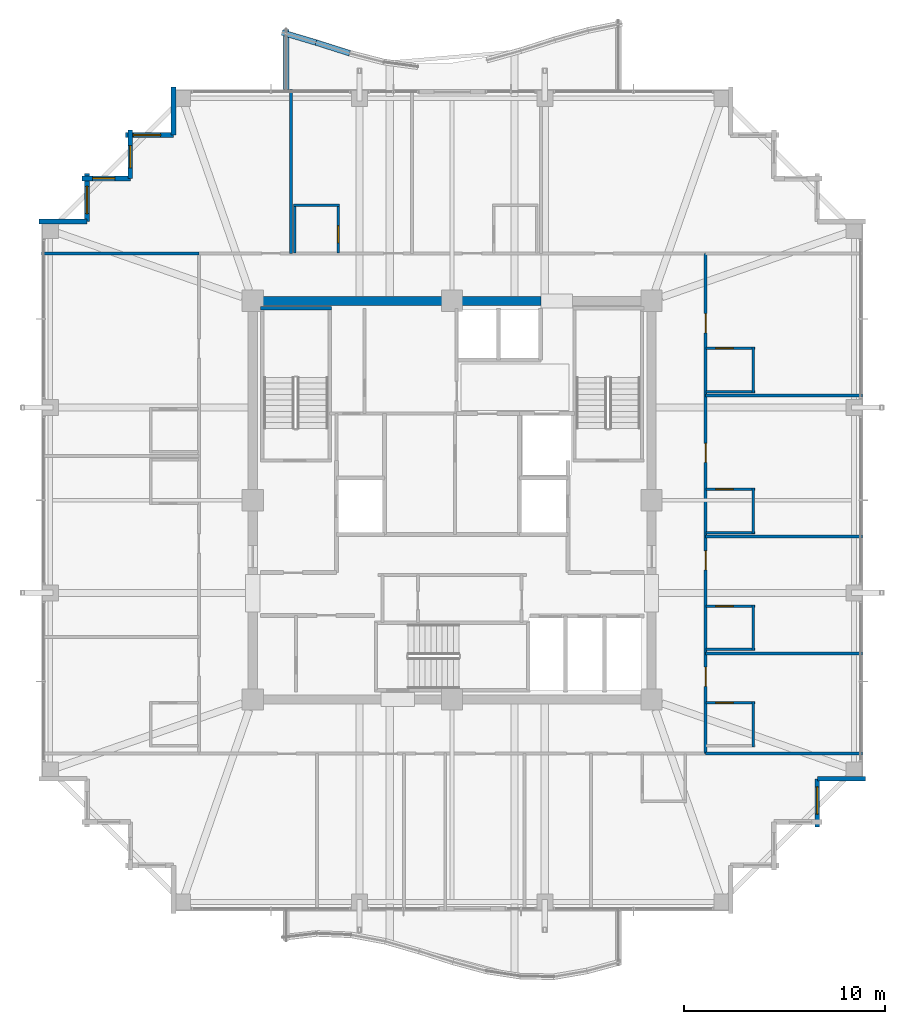
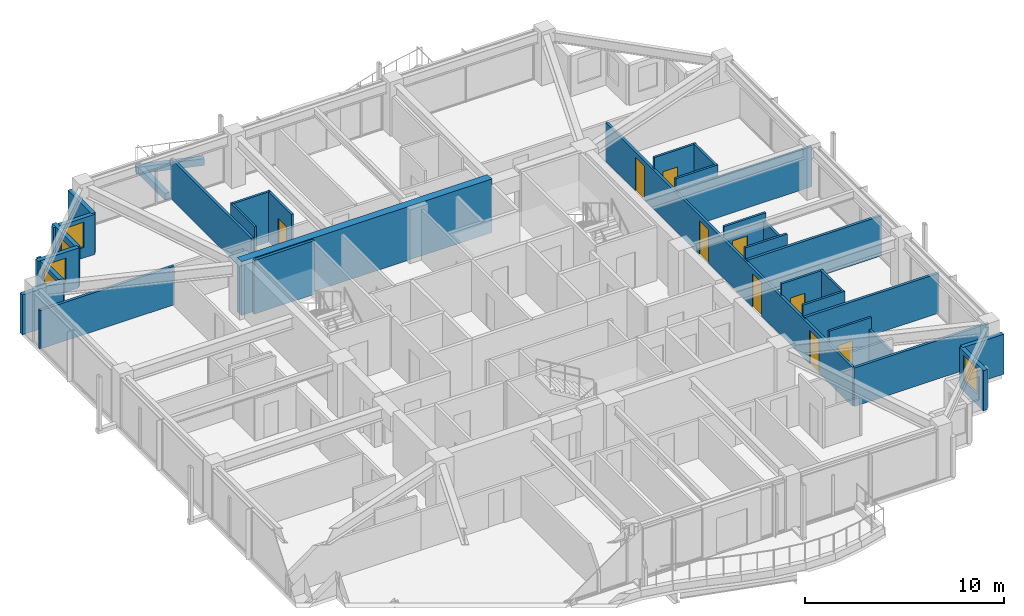
# One storey, part 34 of 38: 34 walls, 9 doors, 5 windows, 14 openings.
"""IFC4 building model written with IfcOpenShell, lengths in metres."""

from ifc_helpers import new_model, si_unit, direction, frame, frame_2d, origin, place, context, subcontext, project, spatial, rectangle, extrude, material, layer, layer_set, type_object, element, fill, save


model = new_model("IFC4")

# Units and contexts
model_context = context("Model", 3, precision=1e-05, world=origin(), true_north=direction((0.0, 1.0)))
body_context = subcontext(model_context, "Body", "Model", "MODEL_VIEW")
ifc_project = project(units=[si_unit("LENGTHUNIT", "METRE"), si_unit("AREAUNIT", "SQUARE_METRE"), si_unit("VOLUMEUNIT", "CUBIC_METRE"), si_unit("PLANEANGLEUNIT", "RADIAN"), si_unit("MASSUNIT", "GRAM", prefix="KILO")], contexts=[model_context])

# Site, building, storey
site_placement = place(None, origin())
site = spatial("IfcSite", under=ifc_project, at=site_placement, CompositionType="ELEMENT")
building_placement = place(site_placement, origin())
building = spatial("IfcBuilding", under=site, at=building_placement, Name="Kolvaren Belvedere", CompositionType="ELEMENT")
storey_placement = place(building_placement, frame((0.0, 0.0, 213.0)))
storey = spatial("IfcBuildingStorey", under=building, at=storey_placement, Name="L62", CompositionType="ELEMENT", Elevation=213.0)

# Walls
ifc_material_1 = material(Name="Concrete C50/60", Category="concrete")
ifc_layer_1 = layer(ifc_material_1, 0.449951171875)
ifc_layer_set_1 = layer_set([ifc_layer_1], Name="Concrete C50/60")
wall_type_1 = type_object("IfcWallType", Name="CW-CORE-450", PredefinedType="SHEAR", material=ifc_layer_set_1)
wall_1_placement = place(storey_placement, frame((-10.125, 9.89990234375, 0.0), z_axis=(0.0, 0.0, 1.0), x_axis=(1.0, 0.0, 0.0)))
element("IfcWall", 1, at=wall_1_placement, inside=storey, type_object=wall_type_1, Name="L62 North Core Shear Wall 1", PredefinedType="SHEAR", context=body_context, shape_type="SweptSolid", body=[
    extrude(rectangle(XDim=14.544921875, YDim=0.449951171875, at=frame_2d((7.2724609375, 0.0))), origin(), (0.0, 0.0, 1.0), 3.300048828125),
])
ifc_material_2 = material(Name="Concrete C50/60", Category="concrete")
ifc_layer_2 = layer(ifc_material_2, 0.159912109375)
ifc_layer_set_2 = layer_set([ifc_layer_2], Name="Concrete C50/60")
wall_type_2 = type_object("IfcWallType", Name="CW-STAIR-160", PredefinedType="SHEAR", material=ifc_layer_set_2)
wall_2_placement = place(storey_placement, frame((-9.52001953125, 9.530029296875, 0.0), z_axis=(0.0, 0.0, 1.0), x_axis=(1.0, 0.0, 0.0)))
element("IfcWall", 2, at=wall_2_placement, inside=storey, type_object=wall_type_2, Name="L62 Stair ST-1 North Shear Wall", PredefinedType="SHEAR", context=body_context, shape_type="SweptSolid", body=[
    extrude(rectangle(XDim=3.52001953125, YDim=0.159912109375, at=frame_2d((1.760009765625, 0.0))), origin(), (0.0, 0.0, 1.0), 3.300048828125),
])

# Wall, openings, doors
ifc_material_3 = material(Name="Gypsum fire-rated partition assembly", Category="gypsum")
ifc_layer_3 = layer(ifc_material_3, 0.14990234375)
ifc_layer_set_3 = layer_set([ifc_layer_3], Name="Gypsum fire-rated partition assembly")
wall_type_3 = type_object("IfcWallType", Name="WL-CORR-150", PredefinedType="PARTITIONING", material=ifc_layer_set_3)
wall_3_placement = place(storey_placement, frame((12.580078125, -12.580078125, 0.0), z_axis=(0.0, 0.0, 1.0), x_axis=(0.0, 1.0, 0.0)))
wall_3 = element("IfcWall", 3, at=wall_3_placement, inside=storey, type_object=wall_type_3, Name="L62 East Corridor Wall", PredefinedType="PARTITIONING", context=body_context, shape_type="SweptSolid", body=[
    extrude(rectangle(XDim=24.840087890625, YDim=0.14990234375, at=frame_2d((12.419921875, 0.0))), origin(), (0.0, 0.0, 1.0), 2.368896484375),
])
opening_1_placement = place(wall_3_placement, frame((3.338134765625, 0.0, 0.0)))
opening_1 = element("IfcOpeningElement", 4, at=opening_1_placement, cuts=wall_3, Name="Opening D-FD60", PredefinedType="OPENING", context=body_context, shape_type="SweptSolid", body=[
    extrude(rectangle(XDim=0.949951171875, YDim=2.06005859375, at=frame_2d((0.47509765625, 1.030029296875))), frame((0.0, 0.0849609375, 0.0), z_axis=(0.0, -1.0, 0.0), x_axis=(1.0, 0.0, 0.0)), (0.0, 0.0, 1.0), 0.169921875),
])
opening_2_placement = place(wall_3_placement, frame((9.119384765625, 0.0, 0.0)))
opening_2 = element("IfcOpeningElement", 5, at=opening_2_placement, cuts=wall_3, Name="Opening D-FD60", PredefinedType="OPENING", context=body_context, shape_type="SweptSolid", body=[
    extrude(rectangle(XDim=0.949951171875, YDim=2.06005859375, at=frame_2d((0.47509765625, 1.030029296875))), frame((0.0, 0.0849609375, 0.0), z_axis=(0.0, -1.0, 0.0), x_axis=(1.0, 0.0, 0.0)), (0.0, 0.0, 1.0), 0.169921875),
])
opening_3_placement = place(wall_3_placement, frame((14.452392578125, 0.0, 0.0)))
opening_3 = element("IfcOpeningElement", 6, at=opening_3_placement, cuts=wall_3, Name="Opening D-FD60", PredefinedType="OPENING", context=body_context, shape_type="SweptSolid", body=[
    extrude(rectangle(XDim=0.949951171875, YDim=2.06005859375, at=frame_2d((0.47509765625, 1.030029296875))), frame((0.0, 0.0849609375, 0.0), z_axis=(0.0, -1.0, 0.0), x_axis=(1.0, 0.0, 0.0)), (0.0, 0.0, 1.0), 0.169921875),
])
opening_4_placement = place(wall_3_placement, frame((20.887451171875, 0.0, 0.0)))
opening_4 = element("IfcOpeningElement", 7, at=opening_4_placement, cuts=wall_3, Name="Opening D-FD60", PredefinedType="OPENING", context=body_context, shape_type="SweptSolid", body=[
    extrude(rectangle(XDim=0.949951171875, YDim=2.06005859375, at=frame_2d((0.47509765625, 1.030029296875))), frame((0.0, 0.0849609375, 0.0), z_axis=(0.0, -1.0, 0.0), x_axis=(1.0, 0.0, 0.0)), (0.0, 0.0, 1.0), 0.169921875),
])
ifc_material_4 = material(Name="Acoustic white-oak fire door leaf", Category="timber")
door_type_1 = type_object("IfcDoorType", Name="DR-FD60-950", OperationType="NOTDEFINED", PredefinedType="DOOR", material=ifc_material_4)
door_1_placement = place(opening_1_placement, origin())
door_1 = element("IfcDoor", 8, at=door_1_placement, inside=storey, type_object=door_type_1, Name="L62 Twin Guest Room 6205 Entry Door", OperationType="SINGLE_SWING_LEFT", OverallHeight=2.06005859375, OverallWidth=0.949951171875, PredefinedType="DOOR", context=body_context, shape_type="SweptSolid", body=[
    extrude(rectangle(XDim=0.949951171875, YDim=2.06005859375, at=frame_2d((0.47509765625, 1.030029296875))), frame((0.0, 0.02490234375, 0.0), z_axis=(0.0, -1.0, 0.0), x_axis=(1.0, 0.0, 0.0)), (0.0, 0.0, 1.0), 0.050048828125),
])
fill(opening_1, door_1)
door_2_placement = place(opening_2_placement, origin())
door_2 = element("IfcDoor", 9, at=door_2_placement, inside=storey, type_object=door_type_1, Name="L62 Deluxe King Guest Room 6206 Entry Door", OperationType="SINGLE_SWING_LEFT", OverallHeight=2.06005859375, OverallWidth=0.949951171875, PredefinedType="DOOR", context=body_context, shape_type="SweptSolid", body=[
    extrude(rectangle(XDim=0.949951171875, YDim=2.06005859375, at=frame_2d((0.47509765625, 1.030029296875))), frame((0.0, 0.02490234375, 0.0), z_axis=(0.0, -1.0, 0.0), x_axis=(1.0, 0.0, 0.0)), (0.0, 0.0, 1.0), 0.050048828125),
])
fill(opening_2, door_2)
door_3_placement = place(opening_3_placement, origin())
door_3 = element("IfcDoor", 10, at=door_3_placement, inside=storey, type_object=door_type_1, Name="L62 Twin Guest Room 6207 Entry Door", OperationType="SINGLE_SWING_LEFT", OverallHeight=2.06005859375, OverallWidth=0.949951171875, PredefinedType="DOOR", context=body_context, shape_type="SweptSolid", body=[
    extrude(rectangle(XDim=0.949951171875, YDim=2.06005859375, at=frame_2d((0.47509765625, 1.030029296875))), frame((0.0, 0.02490234375, 0.0), z_axis=(0.0, -1.0, 0.0), x_axis=(1.0, 0.0, 0.0)), (0.0, 0.0, 1.0), 0.050048828125),
])
fill(opening_3, door_3)
door_4_placement = place(opening_4_placement, origin())
door_4 = element("IfcDoor", 11, at=door_4_placement, inside=storey, type_object=door_type_1, Name="L62 Deluxe King Guest Room 6208 Entry Door", OperationType="SINGLE_SWING_LEFT", OverallHeight=2.06005859375, OverallWidth=0.949951171875, PredefinedType="DOOR", context=body_context, shape_type="SweptSolid", body=[
    extrude(rectangle(XDim=0.949951171875, YDim=2.06005859375, at=frame_2d((0.47509765625, 1.030029296875))), frame((0.0, 0.02490234375, 0.0), z_axis=(0.0, -1.0, 0.0), x_axis=(1.0, 0.0, 0.0)), (0.0, 0.0, 1.0), 0.050048828125),
])
fill(opening_4, door_4)

# Wall, opening, window
ifc_material_5 = material(Name="Insulated pale-metal facade wall assembly", Category="aluminium")
ifc_layer_4 = layer(ifc_material_5, 0.239990234375)
ifc_layer_set_4 = layer_set([ifc_layer_4], Name="Insulated pale-metal facade wall assembly")
wall_type_4 = type_object("IfcWallType", Name="WL-EXT-240", PredefinedType="STANDARD", material=ifc_layer_set_4)
wall_4_placement = place(storey_placement, frame((18.1298828125, -13.830078125, 0.0), z_axis=(0.0, 0.0, 1.0), x_axis=(0.0, -1.0, 0.0)))
wall_4 = element("IfcWall", 12, at=wall_4_placement, inside=storey, type_object=wall_type_4, Name="L62 Serrated Corner Facade Wall 6", PredefinedType="STANDARD", context=body_context, shape_type="SweptSolid", body=[
    extrude(rectangle(XDim=2.389892578125, YDim=0.239990234375, at=frame_2d((1.19482421875, 0.0))), origin(), (0.0, 0.0, 1.0), 2.462890625),
])
opening_5_placement = place(wall_4_placement, frame((0.39990234375, 0.0, 0.64990234375)))
opening_5 = element("IfcOpeningElement", 13, at=opening_5_placement, cuts=wall_4, Name="Opening W-1350", PredefinedType="OPENING", context=body_context, shape_type="SweptSolid", body=[
    extrude(rectangle(XDim=1.35009765625, YDim=1.550048828125, at=frame_2d((0.675048828125, 0.77490234375))), frame((0.0, 0.1298828125, 0.0), z_axis=(0.0, -1.0, 0.0), x_axis=(1.0, 0.0, 0.0)), (0.0, 0.0, 1.0), 0.260009765625),
])
ifc_material_6 = material(Name="Low-iron triple insulated glass", Category="glass")
window_type_1 = type_object("IfcWindowType", Name="WN-CORN-1350", PartitioningType="SINGLE_PANEL", PredefinedType="WINDOW", material=ifc_material_6)
window_1_placement = place(opening_5_placement, origin())
window_1 = element("IfcWindow", 14, at=window_1_placement, inside=storey, type_object=window_type_1, Name="L62 Serrated Corner Vision Window 6", OverallHeight=1.550048828125, OverallWidth=1.35009765625, PartitioningType="SINGLE_PANEL", PredefinedType="WINDOW", context=body_context, shape_type="SweptSolid", body=[
    extrude(rectangle(XDim=1.35009765625, YDim=1.550048828125, at=frame_2d((0.675048828125, 0.77490234375))), frame((0.0, 0.030029296875, 0.0), z_axis=(0.0, -1.0, 0.0), x_axis=(1.0, 0.0, 0.0)), (0.0, 0.0, 1.0), 0.06005859375),
])
fill(opening_5, window_1)

# Walls
for number, where, z_axis, x_axis, name in (
    (15, (20.52001953125, -13.830078125, 0.0), (0.0, 0.0, 1.0), (-1.0, 0.0, 0.0), "L62 Serrated Corner Facade Wall 7"),
    (16, (-13.830078125, 18.1298828125, 0.0), (0.0, 0.0, 1.0), (0.0, 1.0, 0.0), "L62 Serrated Corner Facade Wall 16"),
):
    element("IfcWall", number, at=place(storey_placement, frame(where, z_axis=z_axis, x_axis=x_axis)), inside=storey, type_object=wall_type_4, Name=name, PredefinedType="STANDARD", context=body_context, shape_type="SweptSolid", body=[
        extrude(rectangle(XDim=2.39013671875, YDim=0.239990234375, at=frame_2d((1.195068359375, 0.0))), origin(), (0.0, 0.0, 1.0), 2.462890625),
    ])

# Wall, opening, window
wall_5_placement = place(storey_placement, frame((-16.219970703125, 18.1298828125, 0.0), z_axis=(0.0, 0.0, 1.0), x_axis=(1.0, 0.0, 0.0)))
wall_5 = element("IfcWall", 17, at=wall_5_placement, inside=storey, type_object=wall_type_4, Name="L62 Serrated Corner Facade Wall 17", PredefinedType="STANDARD", context=body_context, shape_type="SweptSolid", body=[
    extrude(rectangle(XDim=2.389892578125, YDim=0.239990234375, at=frame_2d((1.19482421875, 0.0))), origin(), (0.0, 0.0, 1.0), 2.462890625),
])
opening_6_placement = place(wall_5_placement, frame((0.39990234375, 0.0, 0.64990234375)))
opening_6 = element("IfcOpeningElement", 18, at=opening_6_placement, cuts=wall_5, Name="Opening W-1350", PredefinedType="OPENING", context=body_context, shape_type="SweptSolid", body=[
    extrude(rectangle(XDim=1.35009765625, YDim=1.550048828125, at=frame_2d((0.675048828125, 0.77490234375))), frame((0.0, 0.1298828125, 0.0), z_axis=(0.0, -1.0, 0.0), x_axis=(1.0, 0.0, 0.0)), (0.0, 0.0, 1.0), 0.260009765625),
])
window_2_placement = place(opening_6_placement, origin())
window_2 = element("IfcWindow", 19, at=window_2_placement, inside=storey, type_object=window_type_1, Name="L62 Serrated Corner Vision Window 17", OverallHeight=1.550048828125, OverallWidth=1.35009765625, PartitioningType="SINGLE_PANEL", PredefinedType="WINDOW", context=body_context, shape_type="SweptSolid", body=[
    extrude(rectangle(XDim=1.35009765625, YDim=1.550048828125, at=frame_2d((0.675048828125, 0.77490234375))), frame((0.0, 0.030029296875, 0.0), z_axis=(0.0, -1.0, 0.0), x_axis=(1.0, 0.0, 0.0)), (0.0, 0.0, 1.0), 0.06005859375),
])
fill(opening_6, window_2)

wall_6_placement = place(storey_placement, frame((-15.97998046875, 15.97998046875, 0.0), z_axis=(0.0, 0.0, 1.0), x_axis=(0.0, 1.0, 0.0)))
wall_6 = element("IfcWall", 20, at=wall_6_placement, inside=storey, type_object=wall_type_4, Name="L62 Serrated Corner Facade Wall 18", PredefinedType="STANDARD", context=body_context, shape_type="SweptSolid", body=[
    extrude(rectangle(XDim=2.39013671875, YDim=0.239990234375, at=frame_2d((1.195068359375, 0.0))), origin(), (0.0, 0.0, 1.0), 2.462890625),
])
opening_7_placement = place(wall_6_placement, frame((0.52490234375, 0.0, 0.64990234375)))
opening_7 = element("IfcOpeningElement", 21, at=opening_7_placement, cuts=wall_6, Name="Opening W-1100", PredefinedType="OPENING", context=body_context, shape_type="SweptSolid", body=[
    extrude(rectangle(XDim=1.10009765625, YDim=1.449951171875, at=frame_2d((0.550048828125, 0.72509765625))), frame((0.0, 0.1298828125, 0.0), z_axis=(0.0, -1.0, 0.0), x_axis=(1.0, 0.0, 0.0)), (0.0, 0.0, 1.0), 0.260009765625),
])
ifc_material_7 = material(Name="Low-iron triple insulated glass", Category="glass")
window_type_2 = type_object("IfcWindowType", Name="WN-CORN-1100", PartitioningType="SINGLE_PANEL", PredefinedType="WINDOW", material=ifc_material_7)
window_3_placement = place(opening_7_placement, origin())
window_3 = element("IfcWindow", 22, at=window_3_placement, inside=storey, type_object=window_type_2, Name="L62 Serrated Corner Vision Window 18", OverallHeight=1.449951171875, OverallWidth=1.10009765625, PartitioningType="SINGLE_PANEL", PredefinedType="WINDOW", context=body_context, shape_type="SweptSolid", body=[
    extrude(rectangle(XDim=1.10009765625, YDim=1.449951171875, at=frame_2d((0.550048828125, 0.72509765625))), frame((0.0, 0.030029296875, 0.0), z_axis=(0.0, -1.0, 0.0), x_axis=(1.0, 0.0, 0.0)), (0.0, 0.0, 1.0), 0.06005859375),
])
fill(opening_7, window_3)

wall_7_placement = place(storey_placement, frame((-18.3701171875, 15.97998046875, 0.0), z_axis=(0.0, 0.0, 1.0), x_axis=(1.0, 0.0, 0.0)))
wall_7 = element("IfcWall", 23, at=wall_7_placement, inside=storey, type_object=wall_type_4, Name="L62 Serrated Corner Facade Wall 19", PredefinedType="STANDARD", context=body_context, shape_type="SweptSolid", body=[
    extrude(rectangle(XDim=2.39013671875, YDim=0.239990234375, at=frame_2d((1.195068359375, 0.0))), origin(), (0.0, 0.0, 1.0), 2.462890625),
])
opening_8_placement = place(wall_7_placement, frame((0.52490234375, 0.0, 0.64990234375)))
opening_8 = element("IfcOpeningElement", 24, at=opening_8_placement, cuts=wall_7, Name="Opening W-1100", PredefinedType="OPENING", context=body_context, shape_type="SweptSolid", body=[
    extrude(rectangle(XDim=1.10009765625, YDim=1.449951171875, at=frame_2d((0.550048828125, 0.72509765625))), frame((0.0, 0.1298828125, 0.0), z_axis=(0.0, -1.0, 0.0), x_axis=(1.0, 0.0, 0.0)), (0.0, 0.0, 1.0), 0.260009765625),
])
window_4_placement = place(opening_8_placement, origin())
window_4 = element("IfcWindow", 25, at=window_4_placement, inside=storey, type_object=window_type_2, Name="L62 Serrated Corner Vision Window 19", OverallHeight=1.449951171875, OverallWidth=1.10009765625, PartitioningType="SINGLE_PANEL", PredefinedType="WINDOW", context=body_context, shape_type="SweptSolid", body=[
    extrude(rectangle(XDim=1.10009765625, YDim=1.449951171875, at=frame_2d((0.550048828125, 0.72509765625))), frame((0.0, 0.030029296875, 0.0), z_axis=(0.0, -1.0, 0.0), x_axis=(1.0, 0.0, 0.0)), (0.0, 0.0, 1.0), 0.06005859375),
])
fill(opening_8, window_4)

wall_8_placement = place(storey_placement, frame((-18.1298828125, 13.830078125, 0.0), z_axis=(0.0, 0.0, 1.0), x_axis=(0.0, 1.0, 0.0)))
wall_8 = element("IfcWall", 26, at=wall_8_placement, inside=storey, type_object=wall_type_4, Name="L62 Serrated Corner Facade Wall 20", PredefinedType="STANDARD", context=body_context, shape_type="SweptSolid", body=[
    extrude(rectangle(XDim=2.389892578125, YDim=0.239990234375, at=frame_2d((1.19482421875, 0.0))), origin(), (0.0, 0.0, 1.0), 2.462890625),
])
opening_9_placement = place(wall_8_placement, frame((0.39990234375, 0.0, 0.64990234375)))
opening_9 = element("IfcOpeningElement", 27, at=opening_9_placement, cuts=wall_8, Name="Opening W-1350", PredefinedType="OPENING", context=body_context, shape_type="SweptSolid", body=[
    extrude(rectangle(XDim=1.35009765625, YDim=1.550048828125, at=frame_2d((0.675048828125, 0.77490234375))), frame((0.0, 0.1298828125, 0.0), z_axis=(0.0, -1.0, 0.0), x_axis=(1.0, 0.0, 0.0)), (0.0, 0.0, 1.0), 0.260009765625),
])
window_5_placement = place(opening_9_placement, origin())
window_5 = element("IfcWindow", 28, at=window_5_placement, inside=storey, type_object=window_type_1, Name="L62 Serrated Corner Vision Window 20", OverallHeight=1.550048828125, OverallWidth=1.35009765625, PartitioningType="SINGLE_PANEL", PredefinedType="WINDOW", context=body_context, shape_type="SweptSolid", body=[
    extrude(rectangle(XDim=1.35009765625, YDim=1.550048828125, at=frame_2d((0.675048828125, 0.77490234375))), frame((0.0, 0.030029296875, 0.0), z_axis=(0.0, -1.0, 0.0), x_axis=(1.0, 0.0, 0.0)), (0.0, 0.0, 1.0), 0.06005859375),
])
fill(opening_9, window_5)

# Walls
wall_9_placement = place(storey_placement, frame((-20.52001953125, 13.830078125, 0.0), z_axis=(0.0, 0.0, 1.0), x_axis=(1.0, 0.0, 0.0)))
element("IfcWall", 29, at=wall_9_placement, inside=storey, type_object=wall_type_4, Name="L62 Serrated Corner Facade Wall 21", PredefinedType="STANDARD", context=body_context, shape_type="SweptSolid", body=[
    extrude(rectangle(XDim=2.39013671875, YDim=0.239990234375, at=frame_2d((1.195068359375, 0.0))), origin(), (0.0, 0.0, 1.0), 2.462890625),
])
ifc_material_8 = material(Name="Gypsum acoustic partition assembly", Category="gypsum")
ifc_layer_5 = layer(ifc_material_8, 0.14990234375)
ifc_layer_set_5 = layer_set([ifc_layer_5], Name="Gypsum acoustic partition assembly")
wall_type_5 = type_object("IfcWallType", Name="WL-PART-150", PredefinedType="PARTITIONING", material=ifc_layer_set_5)
for number, where, z_axis, x_axis, name in (
    (30, (12.580078125, -12.580078125, 0.0), (0.0, 0.0, 1.0), (1.0, 0.0, 0.0), "L62 Wing Divider PW-L62-QSE"),
    (31, (-20.3798828125, 12.260009765625, 0.0), (0.0, 0.0, 1.0), (1.0, 0.0, 0.0), "L62 Wing Divider PW-L62-QNW"),
):
    element("IfcWall", number, at=place(storey_placement, frame(where, z_axis=z_axis, x_axis=x_axis)), inside=storey, type_object=wall_type_5, Name=name, PredefinedType="PARTITIONING", context=body_context, shape_type="SweptSolid", body=[
        extrude(rectangle(XDim=7.7998046875, YDim=0.14990234375, at=frame_2d((3.89990234375, 0.0))), origin(), (0.0, 0.0, 1.0), 2.368896484375),
    ])
for number, where, z_axis, x_axis, name in (
    (32, (12.580078125, -7.60009765625, 0.0), (0.0, 0.0, 1.0), (1.0, 0.0, 0.0), "L62 East Suite Demising Wall 1"),
    (33, (12.580078125, -1.800048828125, 0.0), (0.0, 0.0, 1.0), (1.0, 0.0, 0.0), "L62 East Suite Demising Wall 2"),
    (34, (12.580078125, 5.199951171875, 0.0), (0.0, 0.0, 1.0), (1.0, 0.0, 0.0), "L62 East Suite Demising Wall 3"),
):
    element("IfcWall", number, at=place(storey_placement, frame(where, z_axis=z_axis, x_axis=x_axis)), inside=storey, type_object=wall_type_5, Name=name, PredefinedType="PARTITIONING", context=body_context, shape_type="SweptSolid", body=[
        extrude(rectangle(XDim=7.7998046875, YDim=0.14990234375, at=frame_2d((3.89990234375, 0.0))), origin(), (0.0, 0.0, 1.0), 2.452880859375),
    ])
wall_10_placement = place(storey_placement, frame((-8.0, 12.260009765625, 0.0), z_axis=(0.0, 0.0, 1.0), x_axis=(0.0, 1.0, 0.0)))
element("IfcWall", 35, at=wall_10_placement, inside=storey, type_object=wall_type_5, Name="L62 North Suite Demising Wall 1", PredefinedType="PARTITIONING", context=body_context, shape_type="SweptSolid", body=[
    extrude(rectangle(XDim=8.119873046875, YDim=0.14990234375, at=frame_2d((4.06005859375, 0.0))), origin(), (0.0, 0.0, 1.0), 2.452880859375),
])
ifc_material_9 = material(Name="Precast concrete C40/50", Category="concrete")
ifc_layer_6 = layer(ifc_material_9, 0.300048828125)
ifc_layer_set_6 = layer_set([ifc_layer_6], Name="Precast concrete C40/50")
wall_type_6 = type_object("IfcWallType", Name="WL-PLANTER-300", PredefinedType="PARAPET", material=ifc_layer_set_6)
wall_11_placement = place(storey_placement, frame((-5.08837890625, 22.18994140625, -0.0400390625), z_axis=(0.0, 0.0, 1.0), x_axis=(-0.953181954832, 0.302397356111, 0.0)))
element("IfcWall", 36, at=wall_11_placement, inside=storey, type_object=wall_type_6, Name="L62 Precast Structural Planter Wall BAL-N-20", PredefinedType="PARAPET", context=body_context, shape_type="SweptSolid", body=[
    extrude(rectangle(XDim=1.762451171875, YDim=0.280029296875, at=frame_2d((0.88134765625, 0.0))), origin(), (0.0, 0.0, 1.0), 0.419921875),
])
wall_12_placement = place(storey_placement, frame((-6.765625, 22.721923828125, -0.0400390625), z_axis=(0.0, 0.0, 1.0), x_axis=(-0.958525043221, 0.28500831833, 0.0)))
element("IfcWall", 37, at=wall_12_placement, inside=storey, type_object=wall_type_6, Name="L62 Precast Structural Planter Wall BAL-N-21", PredefinedType="PARAPET", context=body_context, shape_type="SweptSolid", body=[
    extrude(rectangle(XDim=1.752685546875, YDim=0.280029296875, at=frame_2d((0.87646484375, 0.0))), origin(), (0.0, 0.0, 1.0), 0.419921875),
])
wall_13_placement = place(storey_placement, frame((-8.239990234375, 23.374755859375, -0.0400390625), z_axis=(0.0, 0.0, 1.0), x_axis=(0.0, -1.0, 0.0)))
element("IfcWall", 38, at=wall_13_placement, inside=storey, type_object=wall_type_6, Name="L62 Precast Structural Planter Wall BAL-N-22", PredefinedType="PARAPET", context=body_context, shape_type="SweptSolid", body=[
    extrude(rectangle(XDim=2.974853515625, YDim=0.280029296875, at=frame_2d((1.4873046875, 0.0))), origin(), (0.0, 0.0, 1.0), 0.419921875),
])

# Wall, opening, door
ifc_material_10 = material(Name="Moisture-resistant gypsum partition", Category="gypsum")
ifc_layer_7 = layer(ifc_material_10, 0.125)
ifc_layer_set_7 = layer_set([ifc_layer_7], Name="Moisture-resistant gypsum partition")
wall_type_7 = type_object("IfcWallType", Name="WL-WET-125", PredefinedType="PARTITIONING", material=ifc_layer_set_7)
wall_14_placement = place(storey_placement, frame((12.594970703125, -10.051025390625, 0.0), z_axis=(0.0, 0.0, 1.0), x_axis=(1.0, 0.0, 0.0)))
wall_14 = element("IfcWall", 39, at=wall_14_placement, inside=storey, type_object=wall_type_7, Name="L62 Bathroom Partition PW-L62-BTH-5-N", PredefinedType="PARTITIONING", context=body_context, shape_type="SweptSolid", body=[
    extrude(rectangle(XDim=2.43994140625, YDim=0.125, at=frame_2d((1.219970703125, 0.0))), origin(), (0.0, 0.0, 1.0), 3.080078125),
])
opening_10_placement = place(wall_14_placement, frame((0.5, 0.0, 0.0)))
opening_10 = element("IfcOpeningElement", 40, at=opening_10_placement, cuts=wall_14, Name="Opening D-BTH85", PredefinedType="OPENING", context=body_context, shape_type="SweptSolid", body=[
    extrude(rectangle(XDim=0.85009765625, YDim=2.030029296875, at=frame_2d((0.425048828125, 1.01513671875))), frame((0.0, 0.072509765625, 0.0), z_axis=(0.0, -1.0, 0.0), x_axis=(1.0, 0.0, 0.0)), (0.0, 0.0, 1.0), 0.14501953125),
])
ifc_material_11 = material(Name="Moisture-sealed Pacific white oak", Category="timber")
door_type_2 = type_object("IfcDoorType", Name="DR-BATH-850", OperationType="NOTDEFINED", PredefinedType="DOOR", material=ifc_material_11)
door_5_placement = place(opening_10_placement, origin())
door_5 = element("IfcDoor", 41, at=door_5_placement, inside=storey, type_object=door_type_2, Name="L62 En-Suite Bathroom 6205 Door", OperationType="SINGLE_SWING_RIGHT", OverallHeight=2.030029296875, OverallWidth=0.85009765625, PredefinedType="DOOR", context=body_context, shape_type="SweptSolid", body=[
    extrude(rectangle(XDim=0.85009765625, YDim=2.030029296875, at=frame_2d((0.425048828125, 1.01513671875))), frame((0.0, 0.02490234375, 0.0), z_axis=(0.0, -1.0, 0.0), x_axis=(1.0, 0.0, 0.0)), (0.0, 0.0, 1.0), 0.050048828125),
])
fill(opening_10, door_5)

# Wall
wall_15_placement = place(storey_placement, frame((14.955078125, -12.260986328125, 0.0), z_axis=(0.0, 0.0, 1.0), x_axis=(0.0, 1.0, 0.0)))
element("IfcWall", 42, at=wall_15_placement, inside=storey, type_object=wall_type_7, Name="L62 Bathroom Partition PW-L62-BTH-5-V", PredefinedType="PARTITIONING", context=body_context, shape_type="SweptSolid", body=[
    extrude(rectangle(XDim=2.27001953125, YDim=0.125, at=frame_2d((1.135009765625, 0.0))), origin(), (0.0, 0.0, 1.0), 2.368896484375),
])

# Wall, opening, door
wall_16_placement = place(storey_placement, frame((12.594970703125, -5.2548828125, 0.0), z_axis=(0.0, 0.0, 1.0), x_axis=(1.0, 0.0, 0.0)))
wall_16 = element("IfcWall", 43, at=wall_16_placement, inside=storey, type_object=wall_type_7, Name="L62 Bathroom Partition PW-L62-BTH-6-N", PredefinedType="PARTITIONING", context=body_context, shape_type="SweptSolid", body=[
    extrude(rectangle(XDim=2.43994140625, YDim=0.125, at=frame_2d((1.219970703125, 0.0))), origin(), (0.0, 0.0, 1.0), 3.080078125),
])
opening_11_placement = place(wall_16_placement, frame((0.5, 0.0, 0.0)))
opening_11 = element("IfcOpeningElement", 44, at=opening_11_placement, cuts=wall_16, Name="Opening D-BTH85", PredefinedType="OPENING", context=body_context, shape_type="SweptSolid", body=[
    extrude(rectangle(XDim=0.85009765625, YDim=2.030029296875, at=frame_2d((0.425048828125, 1.01513671875))), frame((0.0, 0.072509765625, 0.0), z_axis=(0.0, -1.0, 0.0), x_axis=(1.0, 0.0, 0.0)), (0.0, 0.0, 1.0), 0.14501953125),
])
door_6_placement = place(opening_11_placement, origin())
door_6 = element("IfcDoor", 45, at=door_6_placement, inside=storey, type_object=door_type_2, Name="L62 En-Suite Bathroom 6206 Door", OperationType="SINGLE_SWING_RIGHT", OverallHeight=2.030029296875, OverallWidth=0.85009765625, PredefinedType="DOOR", context=body_context, shape_type="SweptSolid", body=[
    extrude(rectangle(XDim=0.85009765625, YDim=2.030029296875, at=frame_2d((0.425048828125, 1.01513671875))), frame((0.0, 0.02490234375, 0.0), z_axis=(0.0, -1.0, 0.0), x_axis=(1.0, 0.0, 0.0)), (0.0, 0.0, 1.0), 0.050048828125),
])
fill(opening_11, door_6)

# Walls
wall_17_placement = place(storey_placement, frame((14.955078125, -7.465087890625, 0.0), z_axis=(0.0, 0.0, 1.0), x_axis=(0.0, 1.0, 0.0)))
element("IfcWall", 46, at=wall_17_placement, inside=storey, type_object=wall_type_7, Name="L62 Bathroom Partition PW-L62-BTH-6-V", PredefinedType="PARTITIONING", context=body_context, shape_type="SweptSolid", body=[
    extrude(rectangle(XDim=2.27001953125, YDim=0.125, at=frame_2d((1.135009765625, 0.0))), origin(), (0.0, 0.0, 1.0), 3.080078125),
])
wall_18_placement = place(storey_placement, frame((12.594970703125, -7.405029296875, 0.0), z_axis=(0.0, 0.0, 1.0), x_axis=(1.0, 0.0, 0.0)))
element("IfcWall", 47, at=wall_18_placement, inside=storey, type_object=wall_type_7, Name="L62 Bathroom Partition PW-L62-BTH-6-S", PredefinedType="PARTITIONING", context=body_context, shape_type="SweptSolid", body=[
    extrude(rectangle(XDim=2.43994140625, YDim=0.125, at=frame_2d((1.219970703125, 0.0))), origin(), (0.0, 0.0, 1.0), 3.080078125),
])

# Wall, opening, door
wall_19_placement = place(storey_placement, frame((12.594970703125, 0.544921875, 0.0), z_axis=(0.0, 0.0, 1.0), x_axis=(1.0, 0.0, 0.0)))
wall_19 = element("IfcWall", 48, at=wall_19_placement, inside=storey, type_object=wall_type_7, Name="L62 Bathroom Partition PW-L62-BTH-7-N", PredefinedType="PARTITIONING", context=body_context, shape_type="SweptSolid", body=[
    extrude(rectangle(XDim=2.43994140625, YDim=0.125, at=frame_2d((1.219970703125, 0.0))), origin(), (0.0, 0.0, 1.0), 3.080078125),
])
opening_12_placement = place(wall_19_placement, frame((0.5, 0.0, 0.0)))
opening_12 = element("IfcOpeningElement", 49, at=opening_12_placement, cuts=wall_19, Name="Opening D-BTH85", PredefinedType="OPENING", context=body_context, shape_type="SweptSolid", body=[
    extrude(rectangle(XDim=0.85009765625, YDim=2.030029296875, at=frame_2d((0.425048828125, 1.01513671875))), frame((0.0, 0.072509765625, 0.0), z_axis=(0.0, -1.0, 0.0), x_axis=(1.0, 0.0, 0.0)), (0.0, 0.0, 1.0), 0.14501953125),
])
door_7_placement = place(opening_12_placement, origin())
door_7 = element("IfcDoor", 50, at=door_7_placement, inside=storey, type_object=door_type_2, Name="L62 En-Suite Bathroom 6207 Door", OperationType="SINGLE_SWING_RIGHT", OverallHeight=2.030029296875, OverallWidth=0.85009765625, PredefinedType="DOOR", context=body_context, shape_type="SweptSolid", body=[
    extrude(rectangle(XDim=0.85009765625, YDim=2.030029296875, at=frame_2d((0.425048828125, 1.01513671875))), frame((0.0, 0.02490234375, 0.0), z_axis=(0.0, -1.0, 0.0), x_axis=(1.0, 0.0, 0.0)), (0.0, 0.0, 1.0), 0.050048828125),
])
fill(opening_12, door_7)

# Walls
wall_20_placement = place(storey_placement, frame((14.955078125, -1.6650390625, 0.0), z_axis=(0.0, 0.0, 1.0), x_axis=(0.0, 1.0, 0.0)))
element("IfcWall", 51, at=wall_20_placement, inside=storey, type_object=wall_type_7, Name="L62 Bathroom Partition PW-L62-BTH-7-V", PredefinedType="PARTITIONING", context=body_context, shape_type="SweptSolid", body=[
    extrude(rectangle(XDim=2.27001953125, YDim=0.125, at=frame_2d((1.135009765625, 0.0))), origin(), (0.0, 0.0, 1.0), 2.60498046875),
])
wall_21_placement = place(storey_placement, frame((12.594970703125, -1.60498046875, 0.0), z_axis=(0.0, 0.0, 1.0), x_axis=(1.0, 0.0, 0.0)))
element("IfcWall", 52, at=wall_21_placement, inside=storey, type_object=wall_type_7, Name="L62 Bathroom Partition PW-L62-BTH-7-S", PredefinedType="PARTITIONING", context=body_context, shape_type="SweptSolid", body=[
    extrude(rectangle(XDim=2.43994140625, YDim=0.125, at=frame_2d((1.219970703125, 0.0))), origin(), (0.0, 0.0, 1.0), 3.080078125),
])

# Wall, opening, door
wall_22_placement = place(storey_placement, frame((12.594970703125, 7.544921875, 0.0), z_axis=(0.0, 0.0, 1.0), x_axis=(1.0, 0.0, 0.0)))
wall_22 = element("IfcWall", 53, at=wall_22_placement, inside=storey, type_object=wall_type_7, Name="L62 Bathroom Partition PW-L62-BTH-8-N", PredefinedType="PARTITIONING", context=body_context, shape_type="SweptSolid", body=[
    extrude(rectangle(XDim=2.43994140625, YDim=0.125, at=frame_2d((1.219970703125, 0.0))), origin(), (0.0, 0.0, 1.0), 3.080078125),
])
opening_13_placement = place(wall_22_placement, frame((0.5, 0.0, 0.0)))
opening_13 = element("IfcOpeningElement", 54, at=opening_13_placement, cuts=wall_22, Name="Opening D-BTH85", PredefinedType="OPENING", context=body_context, shape_type="SweptSolid", body=[
    extrude(rectangle(XDim=0.85009765625, YDim=2.030029296875, at=frame_2d((0.425048828125, 1.01513671875))), frame((0.0, 0.072509765625, 0.0), z_axis=(0.0, -1.0, 0.0), x_axis=(1.0, 0.0, 0.0)), (0.0, 0.0, 1.0), 0.14501953125),
])
door_8_placement = place(opening_13_placement, origin())
door_8 = element("IfcDoor", 55, at=door_8_placement, inside=storey, type_object=door_type_2, Name="L62 En-Suite Bathroom 6208 Door", OperationType="SINGLE_SWING_RIGHT", OverallHeight=2.030029296875, OverallWidth=0.85009765625, PredefinedType="DOOR", context=body_context, shape_type="SweptSolid", body=[
    extrude(rectangle(XDim=0.85009765625, YDim=2.030029296875, at=frame_2d((0.425048828125, 1.01513671875))), frame((0.0, 0.02490234375, 0.0), z_axis=(0.0, -1.0, 0.0), x_axis=(1.0, 0.0, 0.0)), (0.0, 0.0, 1.0), 0.050048828125),
])
fill(opening_13, door_8)

# Walls
wall_23_placement = place(storey_placement, frame((14.955078125, 5.3349609375, 0.0), z_axis=(0.0, 0.0, 1.0), x_axis=(0.0, 1.0, 0.0)))
element("IfcWall", 56, at=wall_23_placement, inside=storey, type_object=wall_type_7, Name="L62 Bathroom Partition PW-L62-BTH-8-V", PredefinedType="PARTITIONING", context=body_context, shape_type="SweptSolid", body=[
    extrude(rectangle(XDim=2.27001953125, YDim=0.125, at=frame_2d((1.135009765625, 0.0))), origin(), (0.0, 0.0, 1.0), 3.080078125),
])
wall_24_placement = place(storey_placement, frame((12.594970703125, 5.39501953125, 0.0), z_axis=(0.0, 0.0, 1.0), x_axis=(1.0, 0.0, 0.0)))
element("IfcWall", 57, at=wall_24_placement, inside=storey, type_object=wall_type_7, Name="L62 Bathroom Partition PW-L62-BTH-8-S", PredefinedType="PARTITIONING", context=body_context, shape_type="SweptSolid", body=[
    extrude(rectangle(XDim=2.43994140625, YDim=0.125, at=frame_2d((1.219970703125, 0.0))), origin(), (0.0, 0.0, 1.0), 3.080078125),
])

# Wall, opening, door
wall_25_placement = place(storey_placement, frame((-5.655029296875, 12.27490234375, 0.0), z_axis=(0.0, 0.0, 1.0), x_axis=(0.0, 1.0, 0.0)))
wall_25 = element("IfcWall", 58, at=wall_25_placement, inside=storey, type_object=wall_type_7, Name="L62 Bathroom Partition PW-L62-BTH-13-E", PredefinedType="PARTITIONING", context=body_context, shape_type="SweptSolid", body=[
    extrude(rectangle(XDim=2.440185546875, YDim=0.125, at=frame_2d((1.22021484375, 0.0))), origin(), (0.0, 0.0, 1.0), 3.080078125),
])
opening_14_placement = place(wall_25_placement, frame((0.5, 0.0, 0.0)))
opening_14 = element("IfcOpeningElement", 59, at=opening_14_placement, cuts=wall_25, Name="Opening D-BTH85", PredefinedType="OPENING", context=body_context, shape_type="SweptSolid", body=[
    extrude(rectangle(XDim=0.85009765625, YDim=2.030029296875, at=frame_2d((0.425048828125, 1.01513671875))), frame((0.0, 0.072509765625, 0.0), z_axis=(0.0, -1.0, 0.0), x_axis=(1.0, 0.0, 0.0)), (0.0, 0.0, 1.0), 0.14501953125),
])
door_9_placement = place(opening_14_placement, origin())
door_9 = element("IfcDoor", 60, at=door_9_placement, inside=storey, type_object=door_type_2, Name="L62 En-Suite Bathroom 6213 Door", OperationType="SINGLE_SWING_LEFT", OverallHeight=2.030029296875, OverallWidth=0.85009765625, PredefinedType="DOOR", context=body_context, shape_type="SweptSolid", body=[
    extrude(rectangle(XDim=0.85009765625, YDim=2.030029296875, at=frame_2d((0.425048828125, 1.01513671875))), frame((0.0, 0.02490234375, 0.0), z_axis=(0.0, -1.0, 0.0), x_axis=(1.0, 0.0, 0.0)), (0.0, 0.0, 1.0), 0.050048828125),
])
fill(opening_14, door_9)

# Walls
wall_26_placement = place(storey_placement, frame((-7.864990234375, 14.635009765625, 0.0), z_axis=(0.0, 0.0, 1.0), x_axis=(1.0, 0.0, 0.0)))
element("IfcWall", 61, at=wall_26_placement, inside=storey, type_object=wall_type_7, Name="L62 Bathroom Partition PW-L62-BTH-13-H", PredefinedType="PARTITIONING", context=body_context, shape_type="SweptSolid", body=[
    extrude(rectangle(XDim=2.27001953125, YDim=0.125, at=frame_2d((1.135009765625, 0.0))), origin(), (0.0, 0.0, 1.0), 3.080078125),
])
wall_27_placement = place(storey_placement, frame((-7.804931640625, 12.27490234375, 0.0), z_axis=(0.0, 0.0, 1.0), x_axis=(0.0, 1.0, 0.0)))
element("IfcWall", 62, at=wall_27_placement, inside=storey, type_object=wall_type_7, Name="L62 Bathroom Partition PW-L62-BTH-13-W", PredefinedType="PARTITIONING", context=body_context, shape_type="SweptSolid", body=[
    extrude(rectangle(XDim=2.440185546875, YDim=0.125, at=frame_2d((1.22021484375, 0.0))), origin(), (0.0, 0.0, 1.0), 3.080078125),
])

save(model, "model.ifc")
